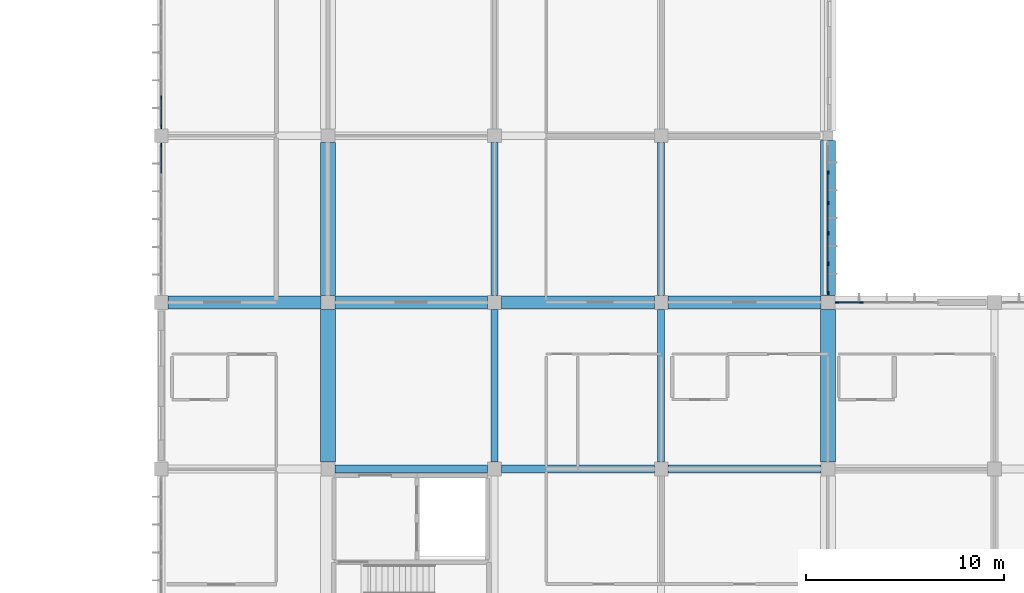
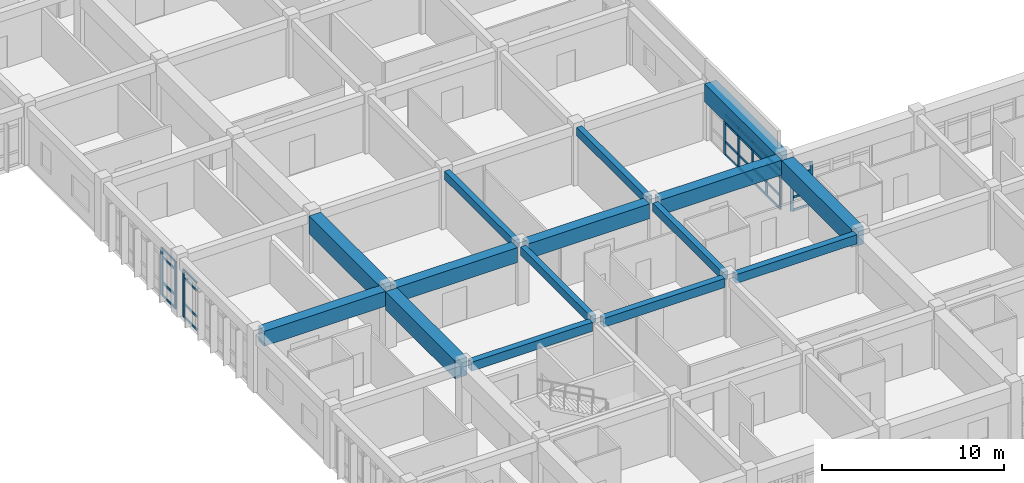
# One storey, part 10 of 119: 38 members, 15 beams, 4 elements without a shape of their own.
"""IFC4 building model written with IfcOpenShell, lengths in metres."""

import ifcopenshell
import ifcopenshell.guid

model = None  # the IFC model being written
_history = None  # IfcOwnerHistory: only IFC2X3 demands one
_inside = {}  # id of a spatial element -> (the spatial element, [elements in it])
_under = {}  # id of a project, library or spatial element -> (it, [spatial elements below it])
_declared = {}  # id of a project -> (the project, [libraries it declares])
_typed = {}  # id of a type object -> (the type object, [elements of that type])
_made_of = {}  # id of a material, layer set ... -> (it, [elements and type objects made of it])


def new_model(schema):
    """Start an empty IFC model of exactly this schema.

    Asked for "IFC4X3", IfcOpenShell would pick the latest addendum, in which some entities
    have other attributes; the version numbers below select the first issue.
    IFC2X3 requires an IfcOwnerHistory on every rooted entity: one is made here for all.
    """
    global model, _history
    if schema == "IFC4X3":
        model = ifcopenshell.file(schema_version=(4, 3, 0, 0))
    else:
        model = ifcopenshell.file(schema=schema)
    _inside.clear()
    _under.clear()
    _declared.clear()
    _typed.clear()
    _made_of.clear()
    _history = None
    if model.schema == "IFC2X3":
        org = make("IfcOrganization", Name="unknown")
        user = make(
            "IfcPersonAndOrganization",
            ThePerson=make("IfcPerson", FamilyName="unknown"),
            TheOrganization=org,
        )
        app = make(
            "IfcApplication",
            ApplicationDeveloper=org,
            Version="unknown",
            ApplicationFullName="unknown",
            ApplicationIdentifier="unknown",
        )
        _history = make(
            "IfcOwnerHistory",
            OwningUser=user,
            OwningApplication=app,
            ChangeAction="ADDED",
            CreationDate=0,
        )
    return model


def make(cls, **values):
    """One entity of the class cls with the attributes given. An attribute that is None is left unset."""
    return model.create_entity(
        cls, **{name: value for name, value in values.items() if value is not None}
    )


def rooted(cls, **values):
    """An entity with a GlobalId (a new one), such as an element, a storey or a relation."""
    return make(cls, GlobalId=ifcopenshell.guid.new(), OwnerHistory=_history, **values)


def si_unit(unit_type, name, prefix=None):
    """IfcSIUnit, for example si_unit("LENGTHUNIT", "METRE", prefix="MILLI")."""
    return make("IfcSIUnit", UnitType=unit_type, Prefix=prefix, Name=name)


def assignment(units):
    """IfcUnitAssignment: the units of a project."""
    return None if units is None else make("IfcUnitAssignment", Units=units)


def point(xyz):
    """IfcCartesianPoint."""
    return None if xyz is None else make("IfcCartesianPoint", Coordinates=xyz)


def direction(xyz):
    """IfcDirection."""
    return None if xyz is None else make("IfcDirection", DirectionRatios=xyz)


def frame(location, z_axis=None, x_axis=None):
    """IfcAxis2Placement3D, a coordinate frame: its origin and axes. An axis left out is left unset."""
    return make(
        "IfcAxis2Placement3D",
        Location=point(location),
        Axis=direction(z_axis),
        RefDirection=direction(x_axis),
    )


def frame_2d(location, x_axis=None):
    """IfcAxis2Placement2D, a coordinate frame in the plane: its origin and x axis."""
    return make(
        "IfcAxis2Placement2D", Location=point(location), RefDirection=direction(x_axis)
    )


def origin():
    """The frame at (0, 0, 0) with its axes left unset."""
    return frame((0.0, 0.0, 0.0))


def origin_2d():
    """The frame at (0, 0) in the plane with its x axis left unset."""
    return frame_2d((0.0, 0.0))


def place(relative_to, where):
    """IfcLocalPlacement: puts the frame where relative to a parent placement (None: the world)."""
    return make(
        "IfcLocalPlacement", PlacementRelTo=relative_to, RelativePlacement=where
    )


def context(
    kind, dimensions, precision=None, world=None, true_north=None, identifier=None
):
    """IfcGeometricRepresentationContext, for example the 3D "Model" context."""
    return make(
        "IfcGeometricRepresentationContext",
        ContextIdentifier=identifier,
        ContextType=kind,
        CoordinateSpaceDimension=dimensions,
        Precision=precision,
        WorldCoordinateSystem=world,
        TrueNorth=true_north,
    )


def subcontext(parent, identifier, kind, view, scale=None):
    """IfcGeometricRepresentationSubContext, for example "Body" below "Model"."""
    return make(
        "IfcGeometricRepresentationSubContext",
        ContextIdentifier=identifier,
        ContextType=kind,
        ParentContext=parent,
        TargetScale=scale,
        TargetView=view,
    )


def project(units=None, contexts=None):
    """IfcProject with its units and contexts."""
    return rooted(
        "IfcProject",
        Name="project",
        RepresentationContexts=contexts,
        UnitsInContext=assignment(units),
    )


def spatial(cls, under=None, at=None, **own):
    """A site, building, storey or space (cls), placed at a placement, below another one or the project."""
    s = rooted(cls, ObjectPlacement=at, **own)
    if under is not None:
        _under.setdefault(under.id(), (under, []))[1].append(s)
    return s


def profile(cls, at=None, kind="AREA", **sizes):
    """A parametric profile (cls). Its sizes go by their IFC names, for example OverallWidth=200.0."""
    return make(cls, ProfileType=kind, Position=at, **sizes)


def rectangle(**sizes):
    """IfcRectangleProfileDef."""
    return profile("IfcRectangleProfileDef", **sizes)


def extrude(swept, where, along, depth):
    """IfcExtrudedAreaSolid: the profile swept, set in the frame where, extruded along a direction by depth."""
    return make(
        "IfcExtrudedAreaSolid",
        SweptArea=swept,
        Position=where,
        ExtrudedDirection=direction(along),
        Depth=depth,
    )


def shape(context_of_items, identifier, shape_type, items):
    """IfcShapeRepresentation: the items that make up one representation, for example the "Body"."""
    return make(
        "IfcShapeRepresentation",
        ContextOfItems=context_of_items,
        RepresentationIdentifier=identifier,
        RepresentationType=shape_type,
        Items=items,
    )


def material(Name=None, Category=None):
    """IfcMaterial."""
    return make("IfcMaterial", Name=Name, Category=Category)


def layer(
    of_material, thickness, ventilated=None, Name=None, Category=None, Priority=None
):
    """IfcMaterialLayer: one layer of a wall or slab, of a material (None: an air gap)."""
    return make(
        "IfcMaterialLayer",
        Material=of_material,
        LayerThickness=thickness,
        IsVentilated=ventilated,
        Name=Name,
        Category=Category,
        Priority=Priority,
    )


def layer_set(layers, Name=None):
    """IfcMaterialLayerSet."""
    return make("IfcMaterialLayerSet", MaterialLayers=layers, LayerSetName=Name)


def material_profile(
    of_material, cross_section, Name=None, Category=None, Priority=None
):
    """IfcMaterialProfile: a cross section and its material."""
    return make(
        "IfcMaterialProfile",
        Name=Name,
        Material=of_material,
        Profile=cross_section,
        Priority=Priority,
        Category=Category,
    )


def profile_set(profiles, Name=None, composite=None):
    """IfcMaterialProfileSet."""
    return make(
        "IfcMaterialProfileSet",
        Name=Name,
        MaterialProfiles=profiles,
        CompositeProfile=composite,
    )


def made_of(thing, what):
    """Note that an element or type object is made of a material, layer set ...; save() writes the relation."""
    if what is not None:
        _made_of.setdefault(what.id(), (what, []))[1].append(thing)
    return thing


def type_object(cls, material=None, **own):
    """A type object (cls), such as IfcWallType, which elements share."""
    return made_of(rooted(cls, **own), material)


def element(
    cls,
    number,
    at=None,
    inside=None,
    cuts=None,
    type_object=None,
    material=None,
    context=None,
    identifier="Body",
    shape_type=None,
    held_by="IfcProductDefinitionShape",
    body=None,
    shapes=None,
    **own,
):
    """One element of the class cls, such as IfcWall. Its Tag is "e" and its number.

    at: its placement. inside: the storey or other place that contains it. cuts: it is an
    opening in that element (IfcRelVoidsElement). A single representation is given by context,
    identifier, shape_type and body (its items); several are given by shapes. held_by: the class
    of the entity that holds the representations. save() writes the other relations.
    """
    e = rooted(cls, Tag="e%d" % number, ObjectPlacement=at, **own)
    if body is not None:
        shapes = [shape(context, identifier, shape_type, body)]
    if shapes is not None:
        e.Representation = make(held_by, Representations=shapes)
    if inside is not None:
        _inside.setdefault(inside.id(), (inside, []))[1].append(e)
    if cuts is not None:
        rooted(
            "IfcRelVoidsElement", RelatingBuildingElement=cuts, RelatedOpeningElement=e
        )
    if type_object is not None:
        _typed.setdefault(type_object.id(), (type_object, []))[1].append(e)
    return made_of(e, material)


def aggregate(whole, parts):
    """IfcRelAggregates: a whole, such as a stair, and the parts it consists of."""
    return rooted("IfcRelAggregates", RelatingObject=whole, RelatedObjects=parts)


def save(model, path):
    """Write the relations noted so far, then the file.

    IfcRelAggregates (storeys below a building ...), IfcRelContainedInSpatialStructure (elements
    in a storey), IfcRelDefinesByType, IfcRelAssociatesMaterial and IfcRelDeclares: one each for
    every whole, place, type object, material and project.
    """
    for whole, parts in _under.values():
        aggregate(whole, parts)
    for where, things in _inside.values():
        rooted(
            "IfcRelContainedInSpatialStructure",
            RelatedElements=things,
            RelatingStructure=where,
        )
    for kind, things in _typed.values():
        rooted("IfcRelDefinesByType", RelatedObjects=things, RelatingType=kind)
    for what, things in _made_of.values():
        rooted("IfcRelAssociatesMaterial", RelatedObjects=things, RelatingMaterial=what)
    for by, libraries in _declared.values():
        rooted("IfcRelDeclares", RelatingContext=by, RelatedDefinitions=libraries)
    model.write(path)


model = new_model("IFC4")

# Units and contexts
model_context = context("Model", 3, precision=1e-05, world=origin(), true_north=direction((0.0, 1.0)))
body_context = subcontext(model_context, "Body", "Model", "MODEL_VIEW")
ifc_project = project(units=[si_unit("LENGTHUNIT", "METRE"), si_unit("AREAUNIT", "SQUARE_METRE"), si_unit("VOLUMEUNIT", "CUBIC_METRE"), si_unit("PLANEANGLEUNIT", "RADIAN"), si_unit("MASSUNIT", "GRAM", prefix="KILO")], contexts=[model_context])

# Site, building, storey
site_placement = place(None, origin())
site = spatial("IfcSite", under=ifc_project, at=site_placement, CompositionType="ELEMENT")
building_placement = place(site_placement, origin())
building = spatial("IfcBuilding", under=site, at=building_placement, Name="Bramfleet General Hospital", CompositionType="ELEMENT")
storey_placement = place(building_placement, frame((0.0, 0.0, 14.39990234375)))
storey = spatial("IfcBuildingStorey", under=building, at=storey_placement, Name="L03", CompositionType="ELEMENT", Elevation=14.39990234375)

# Beams
ifc_material_1 = material(Name="Concrete C35/45", Category="concrete")
ifc_material_profile_1 = material_profile(ifc_material_1, rectangle(XDim=0.35009765625, YDim=0.550048828125, at=origin_2d()), Name="RC BM 550x350")
ifc_profile_set_1 = profile_set([ifc_material_profile_1], Name="Concrete C35/45")
beam_type_1 = type_object("IfcBeamType", Name="BM-RC550", PredefinedType="BEAM", material=ifc_profile_set_1)
beam_1_placement = place(storey_placement, frame((109.199951171875, 17.14990234375, 3.625), z_axis=(0.0, 1.0, 0.0), x_axis=(-1.0, 0.0, 0.0)))
element("IfcBeam", 1, at=beam_1_placement, inside=storey, type_object=beam_type_1, Name="L03 Grid Beam Y 13-02", PredefinedType="BEAM", context=body_context, shape_type="SweptSolid", body=[
    extrude(rectangle(XDim=0.35009765625, YDim=0.550048828125, at=origin_2d()), origin(), (0.0, 0.0, 1.0), 7.7001953125),
])
beam_2_placement = place(storey_placement, frame((109.199951171875, 25.550048828125, 3.625), z_axis=(0.0, 1.0, 0.0), x_axis=(-1.0, 0.0, 0.0)))
element("IfcBeam", 2, at=beam_2_placement, inside=storey, type_object=beam_type_1, Name="L03 Grid Beam Y 13-03", PredefinedType="BEAM", context=body_context, shape_type="SweptSolid", body=[
    extrude(rectangle(XDim=0.35009765625, YDim=0.550048828125, at=origin_2d()), origin(), (0.0, 0.0, 1.0), 7.699951171875),
])
beam_3_placement = place(storey_placement, frame((117.60009765625, 17.14990234375, 3.625), z_axis=(0.0, 1.0, 0.0), x_axis=(-1.0, 0.0, 0.0)))
element("IfcBeam", 3, at=beam_3_placement, inside=storey, type_object=beam_type_1, Name="L03 Grid Beam Y 14-02", PredefinedType="BEAM", context=body_context, shape_type="SweptSolid", body=[
    extrude(rectangle(XDim=0.35009765625, YDim=0.550048828125, at=origin_2d()), origin(), (0.0, 0.0, 1.0), 7.7001953125),
])
beam_4_placement = place(storey_placement, frame((117.60009765625, 25.550048828125, 3.625), z_axis=(0.0, 1.0, 0.0), x_axis=(-1.0, 0.0, 0.0)))
element("IfcBeam", 4, at=beam_4_placement, inside=storey, type_object=beam_type_1, Name="L03 Grid Beam Y 14-03", PredefinedType="BEAM", context=body_context, shape_type="SweptSolid", body=[
    extrude(rectangle(XDim=0.35009765625, YDim=0.550048828125, at=origin_2d()), origin(), (0.0, 0.0, 1.0), 7.699951171875),
])
ifc_material_profile_2 = material_profile(ifc_material_1, rectangle(XDim=0.39990234375, YDim=0.60009765625, at=origin_2d()), Name="RC BM 600x400")
ifc_profile_set_2 = profile_set([ifc_material_profile_2], Name="Concrete C35/45")
beam_type_2 = type_object("IfcBeamType", Name="BM-RC600", PredefinedType="BEAM", material=ifc_profile_set_2)
beam_5_placement = place(storey_placement, frame((101.14990234375, 16.800048828125, 3.60009765625), z_axis=(1.0, 0.0, 0.0), x_axis=(0.0, 1.0, 0.0)))
element("IfcBeam", 5, at=beam_5_placement, inside=storey, type_object=beam_type_2, Name="L03 Grid Beam X 12-02", PredefinedType="BEAM", context=body_context, shape_type="SweptSolid", body=[
    extrude(rectangle(XDim=0.39990234375, YDim=0.60009765625, at=origin_2d()), origin(), (0.0, 0.0, 1.0), 7.7001953125),
])
for number, where, z_axis, x_axis, name in (
    (6, (109.550048828125, 16.800048828125, 3.60009765625), (1.0, 0.0, 0.0), (0.0, 1.0, 0.0), "L03 Grid Beam X 13-02"),
    (7, (117.949951171875, 16.800048828125, 3.60009765625), (1.0, 0.0, 0.0), (0.0, 1.0, 0.0), "L03 Grid Beam X 14-02"),
):
    element("IfcBeam", number, at=place(storey_placement, frame(where, z_axis=z_axis, x_axis=x_axis)), inside=storey, type_object=beam_type_2, Name=name, PredefinedType="BEAM", context=body_context, shape_type="SweptSolid", body=[
        extrude(rectangle(XDim=0.39990234375, YDim=0.60009765625, at=origin_2d()), origin(), (0.0, 0.0, 1.0), 7.699951171875),
    ])
ifc_material_2 = material(Name="Concrete C40/50", Category="concrete")
ifc_material_profile_3 = material_profile(ifc_material_2, rectangle(XDim=0.64990234375, YDim=1.0, at=origin_2d()), Name="RC TG 1000x650")
ifc_profile_set_3 = profile_set([ifc_material_profile_3], Name="Concrete C40/50")
beam_type_3 = type_object("IfcBeamType", Name="BM-TG1000", PredefinedType="BEAM", material=ifc_profile_set_3)
beam_6_placement = place(storey_placement, frame((92.75, 25.199951171875, 3.400146484375), z_axis=(1.0, 0.0, 0.0), x_axis=(0.0, 1.0, 0.0)))
element("IfcBeam", 8, at=beam_6_placement, inside=storey, type_object=beam_type_3, Name="L03 Transfer Girder X 11-03", PredefinedType="BEAM", context=body_context, shape_type="SweptSolid", body=[
    extrude(rectangle(XDim=0.64990234375, YDim=1.0, at=origin_2d()), origin(), (0.0, 0.0, 1.0), 7.699951171875),
])
beam_7_placement = place(storey_placement, frame((101.14990234375, 25.199951171875, 3.400146484375), z_axis=(1.0, 0.0, 0.0), x_axis=(0.0, 1.0, 0.0)))
element("IfcBeam", 9, at=beam_7_placement, inside=storey, type_object=beam_type_3, Name="L03 Transfer Girder X 12-03", PredefinedType="BEAM", context=body_context, shape_type="SweptSolid", body=[
    extrude(rectangle(XDim=0.64990234375, YDim=1.0, at=origin_2d()), origin(), (0.0, 0.0, 1.0), 7.7001953125),
])
for number, where, z_axis, x_axis, name in (
    (10, (109.550048828125, 25.199951171875, 3.400146484375), (1.0, 0.0, 0.0), (0.0, 1.0, 0.0), "L03 Transfer Girder X 13-03"),
    (11, (117.949951171875, 25.199951171875, 3.400146484375), (1.0, 0.0, 0.0), (0.0, 1.0, 0.0), "L03 Transfer Girder X 14-03"),
):
    element("IfcBeam", number, at=place(storey_placement, frame(where, z_axis=z_axis, x_axis=x_axis)), inside=storey, type_object=beam_type_3, Name=name, PredefinedType="BEAM", context=body_context, shape_type="SweptSolid", body=[
        extrude(rectangle(XDim=0.64990234375, YDim=1.0, at=origin_2d()), origin(), (0.0, 0.0, 1.0), 7.699951171875),
    ])
ifc_material_profile_4 = material_profile(ifc_material_2, rectangle(XDim=0.75, YDim=1.199951171875, at=origin_2d()), Name="RC TG 1200x750")
ifc_profile_set_4 = profile_set([ifc_material_profile_4], Name="Concrete C40/50")
beam_type_4 = type_object("IfcBeamType", Name="BM-TG1200", PredefinedType="BEAM", material=ifc_profile_set_4)
beam_8_placement = place(storey_placement, frame((100.800048828125, 17.14990234375, 3.300048828125), z_axis=(0.0, 1.0, 0.0), x_axis=(-1.0, 0.0, 0.0)))
element("IfcBeam", 12, at=beam_8_placement, inside=storey, type_object=beam_type_4, Name="L03 Transfer Girder Y 12-02", PredefinedType="BEAM", context=body_context, shape_type="SweptSolid", body=[
    extrude(rectangle(XDim=0.75, YDim=1.199951171875, at=origin_2d()), origin(), (0.0, 0.0, 1.0), 7.7001953125),
])
beam_9_placement = place(storey_placement, frame((100.800048828125, 25.550048828125, 3.300048828125), z_axis=(0.0, 1.0, 0.0), x_axis=(-1.0, 0.0, 0.0)))
element("IfcBeam", 13, at=beam_9_placement, inside=storey, type_object=beam_type_4, Name="L03 Transfer Girder Y 12-03", PredefinedType="BEAM", context=body_context, shape_type="SweptSolid", body=[
    extrude(rectangle(XDim=0.75, YDim=1.199951171875, at=origin_2d()), origin(), (0.0, 0.0, 1.0), 7.699951171875),
])
beam_10_placement = place(storey_placement, frame((126.0, 17.14990234375, 3.300048828125), z_axis=(0.0, 1.0, 0.0), x_axis=(-1.0, 0.0, 0.0)))
element("IfcBeam", 14, at=beam_10_placement, inside=storey, type_object=beam_type_4, Name="L03 Transfer Girder Y 15-02", PredefinedType="BEAM", context=body_context, shape_type="SweptSolid", body=[
    extrude(rectangle(XDim=0.75, YDim=1.199951171875, at=origin_2d()), origin(), (0.0, 0.0, 1.0), 7.7001953125),
])
beam_11_placement = place(storey_placement, frame((126.0, 25.550048828125, 3.300048828125), z_axis=(0.0, 1.0, 0.0), x_axis=(-1.0, 0.0, 0.0)))
element("IfcBeam", 15, at=beam_11_placement, inside=storey, type_object=beam_type_4, Name="L03 Transfer Girder Y 15-03", PredefinedType="BEAM", context=body_context, shape_type="SweptSolid", body=[
    extrude(rectangle(XDim=0.75, YDim=1.199951171875, at=origin_2d()), origin(), (0.0, 0.0, 1.0), 7.800048828125),
])

# Curtain wall, members
ifc_material_3 = material(Name="Anodised aluminium and low-E triple glazing", Category="aluminium")
ifc_layer_1 = layer(ifc_material_3, 0.179931640625, Name="CWT-CW-01")
ifc_layer_set_1 = layer_set([ifc_layer_1], Name="Anodised aluminium and low-E triple glazing")
curtain_wall_type_1 = type_object("IfcCurtainWallType", Name="CWT-CW-01", PredefinedType="USERDEFINED", material=ifc_layer_set_1)
curtain_wall_1_placement = place(storey_placement, origin())
curtain_wall_1 = element("IfcCurtainWall", 16, at=curtain_wall_1_placement, inside=storey, type_object=curtain_wall_type_1, Name="L03 Curtain Wall 163", ObjectType="Unitised curtain wall", PredefinedType="USERDEFINED")
ifc_material_4 = material(Name="Structural timber GL28h", Category="wood")
ifc_material_profile_5 = material_profile(ifc_material_4, rectangle(XDim=0.070068359375, YDim=0.18994140625, at=origin_2d()), Name="LARCH 190x70")
ifc_profile_set_5 = profile_set([ifc_material_profile_5], Name="Structural timber GL28h")
member_type_1 = type_object("IfcMemberType", Name="CWM-LARCH450", PredefinedType="MULLION", material=ifc_profile_set_5)
member_1_placement = place(storey_placement, frame((126.0, 31.7451171875, 0.0), z_axis=(0.0, 0.0, 1.0), x_axis=(1.0, 0.0, 0.0)))
member_1 = element("IfcMember", 17, at=member_1_placement, type_object=member_type_1, Name="CW-01 mullion 2", PredefinedType="MULLION", context=body_context, shape_type="SweptSolid", body=[
    extrude(rectangle(XDim=0.070068359375, YDim=0.18994140625, at=origin_2d()), origin(), (0.0, 0.0, 1.0), 2.690185546875),
])
member_2_placement = place(storey_placement, frame((126.0, 30.215087890625, 0.0), z_axis=(0.0, 0.0, 1.0), x_axis=(1.0, 0.0, 0.0)))
member_2 = element("IfcMember", 18, at=member_2_placement, type_object=member_type_1, Name="CW-01 mullion 3", PredefinedType="MULLION", context=body_context, shape_type="SweptSolid", body=[
    extrude(rectangle(XDim=0.070068359375, YDim=0.18994140625, at=origin_2d()), origin(), (0.0, 0.0, 1.0), 2.690185546875),
])
member_3_placement = place(storey_placement, frame((126.0, 28.68505859375, 0.0), z_axis=(0.0, 0.0, 1.0), x_axis=(1.0, 0.0, 0.0)))
member_3 = element("IfcMember", 19, at=member_3_placement, type_object=member_type_1, Name="CW-01 mullion 4", PredefinedType="MULLION", context=body_context, shape_type="SweptSolid", body=[
    extrude(rectangle(XDim=0.070068359375, YDim=0.18994140625, at=origin_2d()), origin(), (0.0, 0.0, 1.0), 2.690185546875),
])
member_4_placement = place(storey_placement, frame((126.0, 27.155029296875, 0.0), z_axis=(0.0, 0.0, 1.0), x_axis=(1.0, 0.0, 0.0)))
member_4 = element("IfcMember", 20, at=member_4_placement, type_object=member_type_1, Name="CW-01 mullion 5", PredefinedType="MULLION", context=body_context, shape_type="SweptSolid", body=[
    extrude(rectangle(XDim=0.070068359375, YDim=0.18994140625, at=origin_2d()), origin(), (0.0, 0.0, 1.0), 2.690185546875),
])
member_5_placement = place(storey_placement, frame((126.0, 25.659912109375, 0.0), z_axis=(0.0, 0.0, 1.0), x_axis=(1.0, 0.0, 0.0)))
member_5 = element("IfcMember", 21, at=member_5_placement, type_object=member_type_1, Name="CW-01 mullion 6", PredefinedType="MULLION", context=body_context, shape_type="SweptSolid", body=[
    extrude(rectangle(XDim=0.070068359375, YDim=0.18994140625, at=origin_2d()), origin(), (0.0, 0.0, 1.0), 2.690185546875),
])

ifc_layer_2 = layer(ifc_material_3, 0.179931640625, Name="CWT-CW-02")
ifc_layer_set_2 = layer_set([ifc_layer_2], Name="Anodised aluminium and low-E triple glazing")
curtain_wall_type_2 = type_object("IfcCurtainWallType", Name="CWT-CW-02", PredefinedType="USERDEFINED", material=ifc_layer_set_2)
curtain_wall_2_placement = place(storey_placement, origin())
curtain_wall_2 = element("IfcCurtainWall", 22, at=curtain_wall_2_placement, inside=storey, type_object=curtain_wall_type_2, Name="L03 Curtain Wall 164", ObjectType="Unitised curtain wall", PredefinedType="USERDEFINED")
member_6_placement = place(storey_placement, frame((126.4599609375, 25.199951171875, 0.0), z_axis=(0.0, 0.0, 1.0), x_axis=(0.0, 1.0, 0.0)))
member_6 = element("IfcMember", 23, at=member_6_placement, type_object=member_type_1, Name="CW-02 mullion 1", PredefinedType="MULLION", context=body_context, shape_type="SweptSolid", body=[
    extrude(rectangle(XDim=0.070068359375, YDim=0.18994140625, at=origin_2d()), origin(), (0.0, 0.0, 1.0), 2.89013671875),
])
member_7_placement = place(storey_placement, frame((127.698974609375, 25.199951171875, 0.0), z_axis=(0.0, 0.0, 1.0), x_axis=(0.0, 1.0, 0.0)))
member_7 = element("IfcMember", 24, at=member_7_placement, type_object=member_type_1, Name="CW-02 mullion 2", PredefinedType="MULLION", context=body_context, shape_type="SweptSolid", body=[
    extrude(rectangle(XDim=0.070068359375, YDim=0.18994140625, at=origin_2d()), origin(), (0.0, 0.0, 1.0), 2.89013671875),
])

# Curtain wall, member
ifc_layer_3 = layer(ifc_material_3, 0.179931640625, Name="CWT-CW-15")
ifc_layer_set_3 = layer_set([ifc_layer_3], Name="Anodised aluminium and low-E triple glazing")
curtain_wall_type_3 = type_object("IfcCurtainWallType", Name="CWT-CW-15", PredefinedType="USERDEFINED", material=ifc_layer_set_3)
curtain_wall_3_placement = place(storey_placement, origin())
curtain_wall_3 = element("IfcCurtainWall", 25, at=curtain_wall_3_placement, inside=storey, type_object=curtain_wall_type_3, Name="L03 Curtain Wall 177", ObjectType="Stick curtain wall", PredefinedType="USERDEFINED")
member_8_placement = place(storey_placement, frame((92.39990234375, 33.139892578125, 0.0), z_axis=(0.0, 0.0, 1.0), x_axis=(-1.0, 0.0, 0.0)))
member_8 = element("IfcMember", 26, at=member_8_placement, type_object=member_type_1, Name="CW-15 mullion 6", PredefinedType="MULLION", context=body_context, shape_type="SweptSolid", body=[
    extrude(rectangle(XDim=0.070068359375, YDim=0.18994140625, at=origin_2d()), origin(), (0.0, 0.0, 1.0), 3.190185546875),
])

# Curtain wall, members
ifc_layer_4 = layer(ifc_material_3, 0.179931640625, Name="CWT-CW-16")
ifc_layer_set_4 = layer_set([ifc_layer_4], Name="Anodised aluminium and low-E triple glazing")
curtain_wall_type_4 = type_object("IfcCurtainWallType", Name="CWT-CW-16", PredefinedType="USERDEFINED", material=ifc_layer_set_4)
curtain_wall_4_placement = place(storey_placement, origin())
curtain_wall_4 = element("IfcCurtainWall", 27, at=curtain_wall_4_placement, inside=storey, type_object=curtain_wall_type_4, Name="L03 Curtain Wall 178", ObjectType="Stick curtain wall", PredefinedType="USERDEFINED")
member_9_placement = place(storey_placement, frame((92.39990234375, 34.06005859375, 0.0), z_axis=(0.0, 0.0, 1.0), x_axis=(-1.0, 0.0, 0.0)))
member_9 = element("IfcMember", 28, at=member_9_placement, type_object=member_type_1, Name="CW-16 mullion 1", PredefinedType="MULLION", context=body_context, shape_type="SweptSolid", body=[
    extrude(rectangle(XDim=0.070068359375, YDim=0.18994140625, at=origin_2d()), origin(), (0.0, 0.0, 1.0), 3.190185546875),
])
member_10_placement = place(storey_placement, frame((92.39990234375, 35.534912109375, 0.0), z_axis=(0.0, 0.0, 1.0), x_axis=(-1.0, 0.0, 0.0)))
member_10 = element("IfcMember", 29, at=member_10_placement, type_object=member_type_1, Name="CW-16 mullion 2", PredefinedType="MULLION", context=body_context, shape_type="SweptSolid", body=[
    extrude(rectangle(XDim=0.070068359375, YDim=0.18994140625, at=origin_2d()), origin(), (0.0, 0.0, 1.0), 3.190185546875),
])

# Member
ifc_material_profile_6 = material_profile(ifc_material_4, rectangle(XDim=0.06494140625, YDim=0.14990234375, at=origin_2d()), Name="LARCH 150x65")
ifc_profile_set_6 = profile_set([ifc_material_profile_6], Name="Structural timber GL28h")
member_type_2 = type_object("IfcMemberType", Name="CWT-LARCH220", PredefinedType="USERDEFINED", material=ifc_profile_set_6)
member_11_placement = place(storey_placement, frame((126.0, 31.7099609375, 0.03271484375), z_axis=(0.0, -1.0, 0.0), x_axis=(1.0, 0.0, 0.0)))
member_11 = element("IfcMember", 30, at=member_11_placement, type_object=member_type_2, Name="CW-01 transom 2.1", ObjectType="TRANSOM", PredefinedType="USERDEFINED", context=body_context, shape_type="SweptSolid", body=[
    extrude(rectangle(XDim=0.06494140625, YDim=0.14990234375, at=origin_2d()), origin(), (0.0, 0.0, 1.0), 1.4599609375),
])

member_12_placement = place(storey_placement, frame((126.0, 31.7099609375, 0.900146484375), z_axis=(0.0, -1.0, 0.0), x_axis=(1.0, 0.0, 0.0)))
member_12 = element("IfcMember", 31, at=member_12_placement, type_object=member_type_2, Name="CW-01 transom 2.2", ObjectType="TRANSOM", PredefinedType="USERDEFINED", context=body_context, shape_type="SweptSolid", body=[
    extrude(rectangle(XDim=0.06494140625, YDim=0.14990234375, at=origin_2d()), origin(), (0.0, 0.0, 1.0), 1.4599609375),
])

member_13_placement = place(storey_placement, frame((126.0, 31.7099609375, 2.14013671875), z_axis=(0.0, -1.0, 0.0), x_axis=(1.0, 0.0, 0.0)))
member_13 = element("IfcMember", 32, at=member_13_placement, type_object=member_type_2, Name="CW-01 transom 2.3", ObjectType="TRANSOM", PredefinedType="USERDEFINED", context=body_context, shape_type="SweptSolid", body=[
    extrude(rectangle(XDim=0.06494140625, YDim=0.14990234375, at=origin_2d()), origin(), (0.0, 0.0, 1.0), 1.4599609375),
])

member_14_placement = place(storey_placement, frame((126.0, 31.7099609375, 2.65771484375), z_axis=(0.0, -1.0, 0.0), x_axis=(1.0, 0.0, 0.0)))
member_14 = element("IfcMember", 33, at=member_14_placement, type_object=member_type_2, Name="CW-01 transom 2.4", ObjectType="TRANSOM", PredefinedType="USERDEFINED", context=body_context, shape_type="SweptSolid", body=[
    extrude(rectangle(XDim=0.06494140625, YDim=0.14990234375, at=origin_2d()), origin(), (0.0, 0.0, 1.0), 1.4599609375),
])

member_15_placement = place(storey_placement, frame((126.0, 30.179931640625, 0.03271484375), z_axis=(0.0, -1.0, 0.0), x_axis=(1.0, 0.0, 0.0)))
member_15 = element("IfcMember", 34, at=member_15_placement, type_object=member_type_2, Name="CW-01 transom 3.1", ObjectType="TRANSOM", PredefinedType="USERDEFINED", context=body_context, shape_type="SweptSolid", body=[
    extrude(rectangle(XDim=0.06494140625, YDim=0.14990234375, at=origin_2d()), origin(), (0.0, 0.0, 1.0), 1.4599609375),
])

member_16_placement = place(storey_placement, frame((126.0, 30.179931640625, 0.900146484375), z_axis=(0.0, -1.0, 0.0), x_axis=(1.0, 0.0, 0.0)))
member_16 = element("IfcMember", 35, at=member_16_placement, type_object=member_type_2, Name="CW-01 transom 3.2", ObjectType="TRANSOM", PredefinedType="USERDEFINED", context=body_context, shape_type="SweptSolid", body=[
    extrude(rectangle(XDim=0.06494140625, YDim=0.14990234375, at=origin_2d()), origin(), (0.0, 0.0, 1.0), 1.4599609375),
])

member_17_placement = place(storey_placement, frame((126.0, 30.179931640625, 2.14013671875), z_axis=(0.0, -1.0, 0.0), x_axis=(1.0, 0.0, 0.0)))
member_17 = element("IfcMember", 36, at=member_17_placement, type_object=member_type_2, Name="CW-01 transom 3.3", ObjectType="TRANSOM", PredefinedType="USERDEFINED", context=body_context, shape_type="SweptSolid", body=[
    extrude(rectangle(XDim=0.06494140625, YDim=0.14990234375, at=origin_2d()), origin(), (0.0, 0.0, 1.0), 1.4599609375),
])

member_18_placement = place(storey_placement, frame((126.0, 30.179931640625, 2.65771484375), z_axis=(0.0, -1.0, 0.0), x_axis=(1.0, 0.0, 0.0)))
member_18 = element("IfcMember", 37, at=member_18_placement, type_object=member_type_2, Name="CW-01 transom 3.4", ObjectType="TRANSOM", PredefinedType="USERDEFINED", context=body_context, shape_type="SweptSolid", body=[
    extrude(rectangle(XDim=0.06494140625, YDim=0.14990234375, at=origin_2d()), origin(), (0.0, 0.0, 1.0), 1.4599609375),
])

member_19_placement = place(storey_placement, frame((126.0, 28.64990234375, 0.03271484375), z_axis=(0.0, -1.0, 0.0), x_axis=(1.0, 0.0, 0.0)))
member_19 = element("IfcMember", 38, at=member_19_placement, type_object=member_type_2, Name="CW-01 transom 4.1", ObjectType="TRANSOM", PredefinedType="USERDEFINED", context=body_context, shape_type="SweptSolid", body=[
    extrude(rectangle(XDim=0.06494140625, YDim=0.14990234375, at=origin_2d()), origin(), (0.0, 0.0, 1.0), 1.4599609375),
])

member_20_placement = place(storey_placement, frame((126.0, 28.64990234375, 0.900146484375), z_axis=(0.0, -1.0, 0.0), x_axis=(1.0, 0.0, 0.0)))
member_20 = element("IfcMember", 39, at=member_20_placement, type_object=member_type_2, Name="CW-01 transom 4.2", ObjectType="TRANSOM", PredefinedType="USERDEFINED", context=body_context, shape_type="SweptSolid", body=[
    extrude(rectangle(XDim=0.06494140625, YDim=0.14990234375, at=origin_2d()), origin(), (0.0, 0.0, 1.0), 1.4599609375),
])

member_21_placement = place(storey_placement, frame((126.0, 28.64990234375, 2.14013671875), z_axis=(0.0, -1.0, 0.0), x_axis=(1.0, 0.0, 0.0)))
member_21 = element("IfcMember", 40, at=member_21_placement, type_object=member_type_2, Name="CW-01 transom 4.3", ObjectType="TRANSOM", PredefinedType="USERDEFINED", context=body_context, shape_type="SweptSolid", body=[
    extrude(rectangle(XDim=0.06494140625, YDim=0.14990234375, at=origin_2d()), origin(), (0.0, 0.0, 1.0), 1.4599609375),
])

member_22_placement = place(storey_placement, frame((126.0, 28.64990234375, 2.65771484375), z_axis=(0.0, -1.0, 0.0), x_axis=(1.0, 0.0, 0.0)))
member_22 = element("IfcMember", 41, at=member_22_placement, type_object=member_type_2, Name="CW-01 transom 4.4", ObjectType="TRANSOM", PredefinedType="USERDEFINED", context=body_context, shape_type="SweptSolid", body=[
    extrude(rectangle(XDim=0.06494140625, YDim=0.14990234375, at=origin_2d()), origin(), (0.0, 0.0, 1.0), 1.4599609375),
])

member_23_placement = place(storey_placement, frame((126.0, 27.1201171875, 0.03271484375), z_axis=(0.0, -1.0, 0.0), x_axis=(1.0, 0.0, 0.0)))
member_23 = element("IfcMember", 42, at=member_23_placement, type_object=member_type_2, Name="CW-01 transom 5.1", ObjectType="TRANSOM", PredefinedType="USERDEFINED", context=body_context, shape_type="SweptSolid", body=[
    extrude(rectangle(XDim=0.06494140625, YDim=0.14990234375, at=origin_2d()), origin(), (0.0, 0.0, 1.0), 1.425048828125),
])

member_24_placement = place(storey_placement, frame((126.0, 27.1201171875, 0.900146484375), z_axis=(0.0, -1.0, 0.0), x_axis=(1.0, 0.0, 0.0)))
member_24 = element("IfcMember", 43, at=member_24_placement, type_object=member_type_2, Name="CW-01 transom 5.2", ObjectType="TRANSOM", PredefinedType="USERDEFINED", context=body_context, shape_type="SweptSolid", body=[
    extrude(rectangle(XDim=0.06494140625, YDim=0.14990234375, at=origin_2d()), origin(), (0.0, 0.0, 1.0), 1.425048828125),
])

member_25_placement = place(storey_placement, frame((126.0, 27.1201171875, 2.14013671875), z_axis=(0.0, -1.0, 0.0), x_axis=(1.0, 0.0, 0.0)))
member_25 = element("IfcMember", 44, at=member_25_placement, type_object=member_type_2, Name="CW-01 transom 5.3", ObjectType="TRANSOM", PredefinedType="USERDEFINED", context=body_context, shape_type="SweptSolid", body=[
    extrude(rectangle(XDim=0.06494140625, YDim=0.14990234375, at=origin_2d()), origin(), (0.0, 0.0, 1.0), 1.425048828125),
])

member_26_placement = place(storey_placement, frame((126.0, 27.1201171875, 2.65771484375), z_axis=(0.0, -1.0, 0.0), x_axis=(1.0, 0.0, 0.0)))
member_26 = element("IfcMember", 45, at=member_26_placement, type_object=member_type_2, Name="CW-01 transom 5.4", ObjectType="TRANSOM", PredefinedType="USERDEFINED", context=body_context, shape_type="SweptSolid", body=[
    extrude(rectangle(XDim=0.06494140625, YDim=0.14990234375, at=origin_2d()), origin(), (0.0, 0.0, 1.0), 1.425048828125),
])

aggregate(curtain_wall_1, [member_1, member_2, member_3, member_4, member_5, member_11, member_12, member_13, member_14, member_15, member_16, member_17, member_18, member_19, member_20, member_21, member_22, member_23, member_24, member_25, member_26])

member_27_placement = place(storey_placement, frame((126.4951171875, 25.199951171875, 0.03271484375), z_axis=(1.0, 0.0, 0.0), x_axis=(0.0, 1.0, 0.0)))
member_27 = element("IfcMember", 46, at=member_27_placement, type_object=member_type_2, Name="CW-02 transom 1.1", ObjectType="TRANSOM", PredefinedType="USERDEFINED", context=body_context, shape_type="SweptSolid", body=[
    extrude(rectangle(XDim=0.06494140625, YDim=0.14990234375, at=origin_2d()), origin(), (0.0, 0.0, 1.0), 1.1689453125),
])

member_28_placement = place(storey_placement, frame((126.4951171875, 25.199951171875, 0.900146484375), z_axis=(1.0, 0.0, 0.0), x_axis=(0.0, 1.0, 0.0)))
member_28 = element("IfcMember", 47, at=member_28_placement, type_object=member_type_2, Name="CW-02 transom 1.2", ObjectType="TRANSOM", PredefinedType="USERDEFINED", context=body_context, shape_type="SweptSolid", body=[
    extrude(rectangle(XDim=0.06494140625, YDim=0.14990234375, at=origin_2d()), origin(), (0.0, 0.0, 1.0), 1.1689453125),
])

member_29_placement = place(storey_placement, frame((126.4951171875, 25.199951171875, 2.340087890625), z_axis=(1.0, 0.0, 0.0), x_axis=(0.0, 1.0, 0.0)))
member_29 = element("IfcMember", 48, at=member_29_placement, type_object=member_type_2, Name="CW-02 transom 1.3", ObjectType="TRANSOM", PredefinedType="USERDEFINED", context=body_context, shape_type="SweptSolid", body=[
    extrude(rectangle(XDim=0.06494140625, YDim=0.14990234375, at=origin_2d()), origin(), (0.0, 0.0, 1.0), 1.1689453125),
])

member_30_placement = place(storey_placement, frame((126.4951171875, 25.199951171875, 2.857666015625), z_axis=(1.0, 0.0, 0.0), x_axis=(0.0, 1.0, 0.0)))
member_30 = element("IfcMember", 49, at=member_30_placement, type_object=member_type_2, Name="CW-02 transom 1.4", ObjectType="TRANSOM", PredefinedType="USERDEFINED", context=body_context, shape_type="SweptSolid", body=[
    extrude(rectangle(XDim=0.06494140625, YDim=0.14990234375, at=origin_2d()), origin(), (0.0, 0.0, 1.0), 1.1689453125),
])

aggregate(curtain_wall_2, [member_6, member_7, member_27, member_28, member_29, member_30])

member_31_placement = place(storey_placement, frame((92.39990234375, 31.699951171875, 0.03271484375), z_axis=(0.0, 1.0, 0.0), x_axis=(-1.0, 0.0, 0.0)))
member_31 = element("IfcMember", 50, at=member_31_placement, type_object=member_type_2, Name="CW-15 transom 5.1", ObjectType="TRANSOM", PredefinedType="USERDEFINED", context=body_context, shape_type="SweptSolid", body=[
    extrude(rectangle(XDim=0.06494140625, YDim=0.14990234375, at=origin_2d()), origin(), (0.0, 0.0, 1.0), 1.405029296875),
])

member_32_placement = place(storey_placement, frame((92.39990234375, 31.699951171875, 0.900146484375), z_axis=(0.0, 1.0, 0.0), x_axis=(-1.0, 0.0, 0.0)))
member_32 = element("IfcMember", 51, at=member_32_placement, type_object=member_type_2, Name="CW-15 transom 5.2", ObjectType="TRANSOM", PredefinedType="USERDEFINED", context=body_context, shape_type="SweptSolid", body=[
    extrude(rectangle(XDim=0.06494140625, YDim=0.14990234375, at=origin_2d()), origin(), (0.0, 0.0, 1.0), 1.405029296875),
])

member_33_placement = place(storey_placement, frame((92.39990234375, 31.699951171875, 2.64013671875), z_axis=(0.0, 1.0, 0.0), x_axis=(-1.0, 0.0, 0.0)))
member_33 = element("IfcMember", 52, at=member_33_placement, type_object=member_type_2, Name="CW-15 transom 5.3", ObjectType="TRANSOM", PredefinedType="USERDEFINED", context=body_context, shape_type="SweptSolid", body=[
    extrude(rectangle(XDim=0.06494140625, YDim=0.14990234375, at=origin_2d()), origin(), (0.0, 0.0, 1.0), 1.405029296875),
])

member_34_placement = place(storey_placement, frame((92.39990234375, 31.699951171875, 3.15771484375), z_axis=(0.0, 1.0, 0.0), x_axis=(-1.0, 0.0, 0.0)))
member_34 = element("IfcMember", 53, at=member_34_placement, type_object=member_type_2, Name="CW-15 transom 5.4", ObjectType="TRANSOM", PredefinedType="USERDEFINED", context=body_context, shape_type="SweptSolid", body=[
    extrude(rectangle(XDim=0.06494140625, YDim=0.14990234375, at=origin_2d()), origin(), (0.0, 0.0, 1.0), 1.405029296875),
])

aggregate(curtain_wall_3, [member_8, member_31, member_32, member_33, member_34])

member_35_placement = place(storey_placement, frame((92.39990234375, 34.094970703125, 0.03271484375), z_axis=(0.0, 1.0, 0.0), x_axis=(-1.0, 0.0, 0.0)))
member_35 = element("IfcMember", 54, at=member_35_placement, type_object=member_type_2, Name="CW-16 transom 1.1", ObjectType="TRANSOM", PredefinedType="USERDEFINED", context=body_context, shape_type="SweptSolid", body=[
    extrude(rectangle(XDim=0.06494140625, YDim=0.14990234375, at=origin_2d()), origin(), (0.0, 0.0, 1.0), 1.405029296875),
])

member_36_placement = place(storey_placement, frame((92.39990234375, 34.094970703125, 0.900146484375), z_axis=(0.0, 1.0, 0.0), x_axis=(-1.0, 0.0, 0.0)))
member_36 = element("IfcMember", 55, at=member_36_placement, type_object=member_type_2, Name="CW-16 transom 1.2", ObjectType="TRANSOM", PredefinedType="USERDEFINED", context=body_context, shape_type="SweptSolid", body=[
    extrude(rectangle(XDim=0.06494140625, YDim=0.14990234375, at=origin_2d()), origin(), (0.0, 0.0, 1.0), 1.405029296875),
])

member_37_placement = place(storey_placement, frame((92.39990234375, 34.094970703125, 2.64013671875), z_axis=(0.0, 1.0, 0.0), x_axis=(-1.0, 0.0, 0.0)))
member_37 = element("IfcMember", 56, at=member_37_placement, type_object=member_type_2, Name="CW-16 transom 1.3", ObjectType="TRANSOM", PredefinedType="USERDEFINED", context=body_context, shape_type="SweptSolid", body=[
    extrude(rectangle(XDim=0.06494140625, YDim=0.14990234375, at=origin_2d()), origin(), (0.0, 0.0, 1.0), 1.405029296875),
])

member_38_placement = place(storey_placement, frame((92.39990234375, 34.094970703125, 3.15771484375), z_axis=(0.0, 1.0, 0.0), x_axis=(-1.0, 0.0, 0.0)))
member_38 = element("IfcMember", 57, at=member_38_placement, type_object=member_type_2, Name="CW-16 transom 1.4", ObjectType="TRANSOM", PredefinedType="USERDEFINED", context=body_context, shape_type="SweptSolid", body=[
    extrude(rectangle(XDim=0.06494140625, YDim=0.14990234375, at=origin_2d()), origin(), (0.0, 0.0, 1.0), 1.405029296875),
])

aggregate(curtain_wall_4, [member_9, member_10, member_35, member_36, member_37, member_38])

save(model, "model.ifc")
